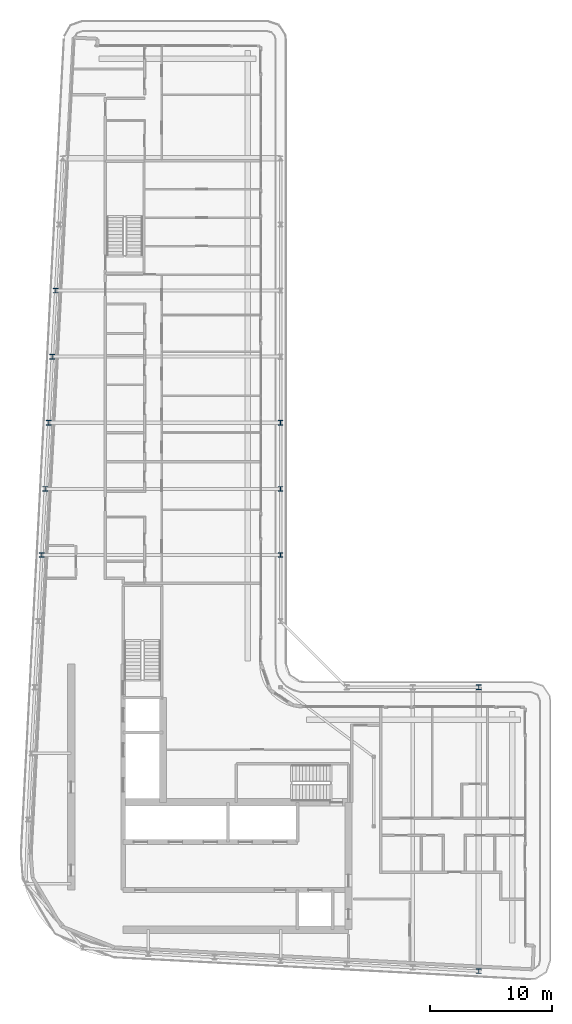
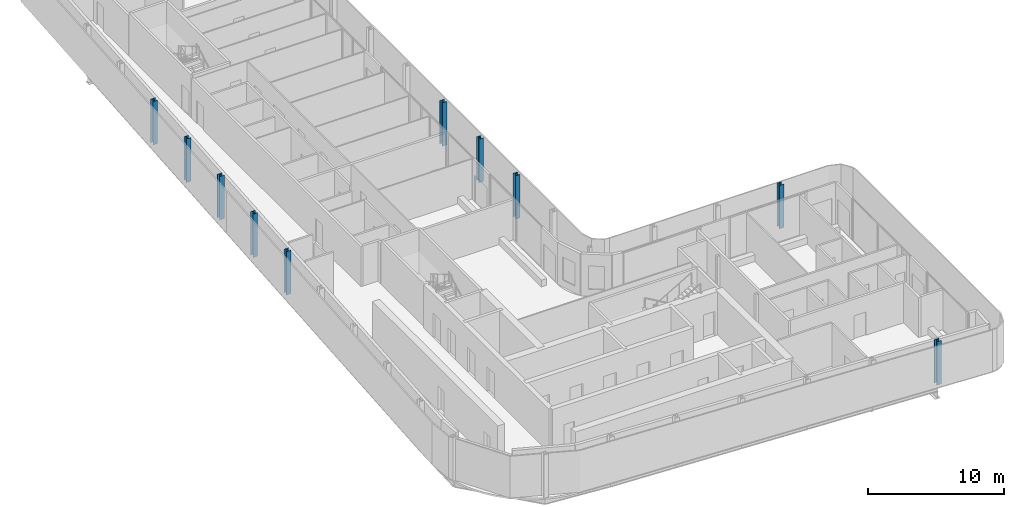
# One storey, part 3 of 21: 10 columns.
"""IFC4 building model written with IfcOpenShell, lengths in metres."""

from ifc_helpers import new_model, si_unit, direction, frame, origin, origin_2d, place, context, subcontext, project, spatial, i_section, extrude, material, material_profile, profile_set, type_object, element, save


model = new_model("IFC4")

# Units and contexts
model_context = context("Model", 3, precision=1e-05, world=origin(), true_north=direction((0.0, 1.0)))
body_context = subcontext(model_context, "Body", "Model", "MODEL_VIEW")
ifc_project = project(units=[si_unit("LENGTHUNIT", "METRE"), si_unit("AREAUNIT", "SQUARE_METRE"), si_unit("VOLUMEUNIT", "CUBIC_METRE"), si_unit("PLANEANGLEUNIT", "RADIAN"), si_unit("MASSUNIT", "GRAM", prefix="KILO")], contexts=[model_context])

# Site, building, storey
site_placement = place(None, origin())
site = spatial("IfcSite", under=ifc_project, at=site_placement, CompositionType="ELEMENT")
building_placement = place(site_placement, origin())
building = spatial("IfcBuilding", under=site, at=building_placement, Name="Kheshtan School and Residences Tower", CompositionType="ELEMENT")
storey_placement = place(building_placement, frame((0.0, 0.0, 294.199951171875)))
storey = spatial("IfcBuildingStorey", under=building, at=storey_placement, Name="L69", CompositionType="ELEMENT", Elevation=294.199951171875)

# Columns
ifc_material = material(Name="Steel ASTM A992 Grade 50", Category="steel")
ifc_material_profile = material_profile(ifc_material, i_section(OverallWidth=0.39501953125, OverallDepth=0.3798828125, WebThickness=0.018798828125, FlangeThickness=0.0302734375, FilletRadius=0.011474609375, at=origin_2d()), Name="W360x237")
ifc_profile_set = profile_set([ifc_material_profile], Name="Steel ASTM A992 Grade 50")
column_type = type_object("IfcColumnType", Name="Column C5 W360x237 ASTM A992 Grade 50", PredefinedType="COLUMN", material=ifc_profile_set)
for number, where, z_axis, x_axis, name in (
    (1, (63.800048828125, 22.410888671875, 0.0), (0.0, 0.0, 1.0), (1.0, 0.0, 0.0), "Column C016"),
    (2, (63.800048828125, 45.60009765625, 0.0), (0.0, 0.0, 1.0), (1.0, 0.0, 0.0), "Column C063"),
    (3, (28.10595703125, 56.39990234375, 0.0), (0.0, 0.0, 1.0), (1.0, 0.0, 0.0), "Column C080"),
    (4, (47.60009765625, 56.39990234375, 0.0), (0.0, 0.0, 1.0), (1.0, 0.0, 0.0), "Column C081"),
    (5, (28.389892578125, 61.800048828125, 0.0), (0.0, 0.0, 1.0), (1.0, 0.0, 0.0), "Column C082"),
    (6, (47.60009765625, 61.800048828125, 0.0), (0.0, 0.0, 1.0), (1.0, 0.0, 0.0), "Column C083"),
    (7, (28.674072265625, 67.199951171875, 0.0), (0.0, 0.0, 1.0), (1.0, 0.0, 0.0), "Column C084"),
    (8, (47.60009765625, 67.199951171875, 0.0), (0.0, 0.0, 1.0), (1.0, 0.0, 0.0), "Column C085"),
    (9, (28.9580078125, 72.60009765625, 0.0), (0.0, 0.0, 1.0), (1.0, 0.0, 0.0), "Column C086"),
    (10, (29.242919921875, 78.0, 0.0), (0.0, 0.0, 1.0), (1.0, 0.0, 0.0), "Column C088"),
):
    element("IfcColumn", number, at=place(storey_placement, frame(where, z_axis=z_axis, x_axis=x_axis)), inside=storey, type_object=column_type, Name=name, PredefinedType="COLUMN", context=body_context, shape_type="SweptSolid", body=[
        extrude(i_section(OverallWidth=0.39501953125, OverallDepth=0.3798828125, WebThickness=0.018798828125, FlangeThickness=0.0302734375, FilletRadius=0.011474609375, at=origin_2d()), origin(), (0.0, 0.0, 1.0), 3.900146484375),
    ])

save(model, "model.ifc")
